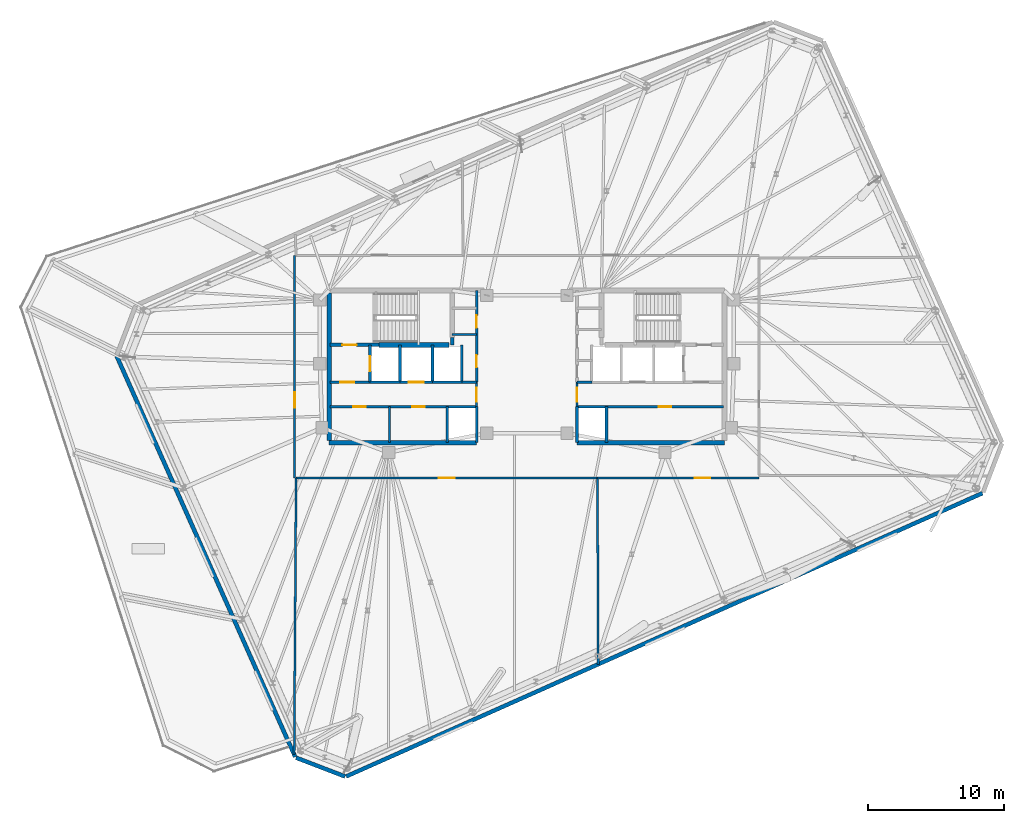
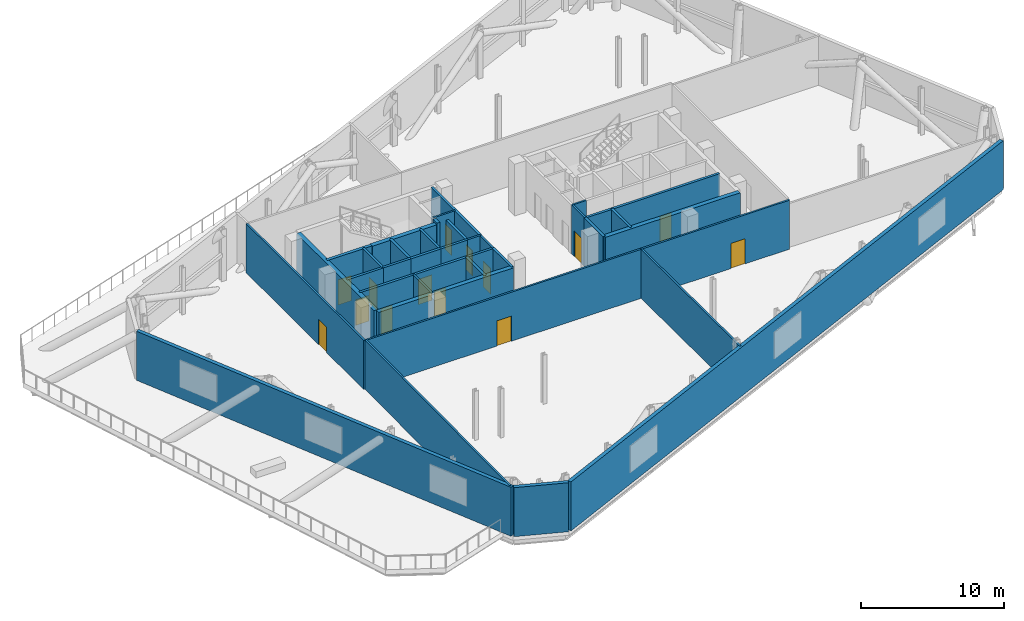
# One storey, part 12 of 15: 35 walls, 14 doors, 14 openings.
"""IFC4 building model written with IfcOpenShell, lengths in metres."""

from ifc_helpers import new_model, si_unit, direction, frame, frame_2d, origin, place, context, subcontext, project, spatial, rectangle, extrude, material, layer, layer_set, type_object, element, fill, save


model = new_model("IFC4")

# Units and contexts
model_context = context("Model", 3, precision=1e-05, world=origin(), true_north=direction((0.0, 1.0)))
body_context = subcontext(model_context, "Body", "Model", "MODEL_VIEW")
ifc_project = project(units=[si_unit("LENGTHUNIT", "METRE"), si_unit("AREAUNIT", "SQUARE_METRE"), si_unit("VOLUMEUNIT", "CUBIC_METRE"), si_unit("PLANEANGLEUNIT", "RADIAN"), si_unit("MASSUNIT", "GRAM", prefix="KILO")], contexts=[model_context])

# Site, building, storey
site_placement = place(None, origin())
site = spatial("IfcSite", under=ifc_project, at=site_placement, CompositionType="ELEMENT")
building_placement = place(site_placement, origin())
building = spatial("IfcBuilding", under=site, at=building_placement, Name="Menara Jurai Vektor", CompositionType="ELEMENT")
storey_placement = place(building_placement, frame((0.0, 0.0, 254.449951171875)))
storey = spatial("IfcBuildingStorey", under=building, at=storey_placement, Name="L68", CompositionType="ELEMENT", Elevation=254.449951171875)

# Walls
ifc_material_1 = material(Name="Insulated Pale Aluminium Spandrel Wall", Category="aluminium")
ifc_layer_1 = layer(ifc_material_1, 0.300048828125)
ifc_layer_set_1 = layer_set([ifc_layer_1], Name="Insulated Pale Aluminium Spandrel Wall")
wall_type_1 = type_object("IfcWallType", Name="ENV-WALL-EXT300", PredefinedType="STANDARD", material=ifc_layer_set_1)
wall_1_placement = place(storey_placement, frame((-13.30908203125, -30.192138671875, 0.0), z_axis=(0.0, 0.0, 1.0), x_axis=(0.913545681585, 0.406736140093, 0.0)))
element("IfcWall", 1, at=wall_1_placement, inside=storey, type_object=wall_type_1, Name="Plant Floor Enclosure Wall L68-01", PredefinedType="STANDARD", context=body_context, shape_type="SweptSolid", body=[
    extrude(rectangle(XDim=51.31005859375, YDim=0.300048828125, at=frame_2d((25.655029296875, 0.0))), origin(), (0.0, 0.0, 1.0), 4.175048828125),
])
wall_2_placement = place(storey_placement, frame((-30.206787109375, 0.766357421875, 0.0), z_axis=(0.0, 0.0, 1.0), x_axis=(0.406735709426, -0.91354587333, 0.0)))
element("IfcWall", 2, at=wall_2_placement, inside=storey, type_object=wall_type_1, Name="Plant Floor Enclosure Wall L68-07", PredefinedType="STANDARD", context=body_context, shape_type="SweptSolid", body=[
    extrude(rectangle(XDim=32.309814453125, YDim=0.300048828125, at=frame_2d((16.15478515625, 0.0))), origin(), (0.0, 0.0, 1.0), 4.175048828125),
])
wall_3_placement = place(storey_placement, frame((-17.0048828125, -28.8076171875, 0.0), z_axis=(0.0, 0.0, 1.0), x_axis=(0.933589291098, -0.358344855618, 0.0)))
element("IfcWall", 3, at=wall_3_placement, inside=storey, type_object=wall_type_1, Name="Plant Floor Enclosure Wall L68-08", PredefinedType="STANDARD", context=body_context, shape_type="SweptSolid", body=[
    extrude(rectangle(XDim=3.869873046875, YDim=0.300048828125, at=frame_2d((1.93505859375, 0.0))), origin(), (0.0, 0.0, 1.0), 4.175048828125),
])

# Wall, opening, door
ifc_material_2 = material(Name="Concrete C40/50", Category="concrete")
ifc_layer_2 = layer(ifc_material_2, 0.25)
ifc_layer_set_2 = layer_set([ifc_layer_2], Name="Concrete C40/50")
wall_type_2 = type_object("IfcWallType", Name="INT-WALL-CORE-250", PredefinedType="STANDARD", material=ifc_layer_set_2)
wall_4_placement = place(storey_placement, frame((-14.5, 1.60009765625, 0.0), z_axis=(0.0, 0.0, 1.0), x_axis=(1.0, 0.0, 0.0)))
wall_4 = element("IfcWall", 4, at=wall_4_placement, inside=storey, type_object=wall_type_2, Name="Interior Wall IW-250 L68", PredefinedType="STANDARD", context=body_context, shape_type="SweptSolid", body=[
    extrude(rectangle(XDim=3.60009765625, YDim=0.25, at=frame_2d((1.800048828125, 0.0))), origin(), (0.0, 0.0, 1.0), 4.175048828125),
])
opening_1_placement = place(wall_4_placement, frame((0.919921875, 0.0, 0.0)))
opening_1 = element("IfcOpeningElement", 5, at=opening_1_placement, cuts=wall_4, Name="Opening D-L68-ST1", PredefinedType="OPENING", context=body_context, shape_type="SweptSolid", body=[
    extrude(rectangle(XDim=1.050048828125, YDim=2.14990234375, at=frame_2d((0.52490234375, 1.074951171875))), frame((0.0, 0.135009765625, 0.0), z_axis=(0.0, -1.0, 0.0), x_axis=(1.0, 0.0, 0.0)), (0.0, 0.0, 1.0), 0.27001953125),
])
ifc_material_3 = material(Name="Fire-Rated Steel Door", Category="steel")
door_type_1 = type_object("IfcDoorType", Name="DR-STAIR-1050", OperationType="NOTDEFINED", PredefinedType="DOOR", material=ifc_material_3)
door_1_placement = place(opening_1_placement, origin())
door_1 = element("IfcDoor", 6, at=door_1_placement, inside=storey, type_object=door_type_1, Name="Exit Stair ST1 Door L68", OperationType="SINGLE_SWING_RIGHT", OverallHeight=2.14990234375, OverallWidth=1.050048828125, PredefinedType="DOOR", context=body_context, shape_type="SweptSolid", body=[
    extrude(rectangle(XDim=1.050048828125, YDim=2.14990234375, at=frame_2d((0.52490234375, 1.074951171875))), frame((0.0, 0.02490234375, 0.0), z_axis=(0.0, -1.0, 0.0), x_axis=(1.0, 0.0, 0.0)), (0.0, 0.0, 1.0), 0.050048828125),
])
fill(opening_1, door_1)

# Wall
wall_5_placement = place(storey_placement, frame((-5.5, 1.60009765625, 0.0), z_axis=(0.0, 0.0, 1.0), x_axis=(0.0, 1.0, 0.0)))
element("IfcWall", 7, at=wall_5_placement, inside=storey, type_object=wall_type_2, Name="Interior Wall IW-250 L68", PredefinedType="STANDARD", context=body_context, shape_type="SweptSolid", body=[
    extrude(rectangle(XDim=0.5498046875, YDim=0.25, at=frame_2d((0.27490234375, 0.0))), origin(), (0.0, 0.0, 1.0), 4.175048828125),
])

# Wall, opening, door
wall_6_placement = place(storey_placement, frame((-11.550048828125, -1.14990234375, 0.0), z_axis=(0.0, 0.0, 1.0), x_axis=(0.0, 1.0, 0.0)))
wall_6 = element("IfcWall", 8, at=wall_6_placement, inside=storey, type_object=wall_type_2, Name="Interior Wall IW-250 L68", PredefinedType="STANDARD", context=body_context, shape_type="SweptSolid", body=[
    extrude(rectangle(XDim=2.75, YDim=0.199951171875, at=frame_2d((1.375, 0.0))), origin(), (0.0, 0.0, 1.0), 4.175048828125),
])
opening_2_placement = place(wall_6_placement, frame((0.824951171875, 0.0, 0.0)))
opening_2 = element("IfcOpeningElement", 9, at=opening_2_placement, cuts=wall_6, Name="Opening LD-L68-FL1", PredefinedType="OPENING", context=body_context, shape_type="SweptSolid", body=[
    extrude(rectangle(XDim=1.10009765625, YDim=2.14990234375, at=frame_2d((0.550048828125, 1.074951171875))), frame((0.0, 0.10986328125, 0.0), z_axis=(0.0, -1.0, 0.0), x_axis=(1.0, 0.0, 0.0)), (0.0, 0.0, 1.0), 0.219970703125),
])
ifc_material_4 = material(Name="Stainless Steel Sliding Lift Landing Door", Category="steel")
door_type_2 = type_object("IfcDoorType", Name="DR-LIFT-FIRE-1100", OperationType="NOTDEFINED", PredefinedType="DOOR", material=ifc_material_4)
door_2_placement = place(opening_2_placement, origin())
door_2 = element("IfcDoor", 10, at=door_2_placement, inside=storey, type_object=door_type_2, Name="Lift Landing Door FL1 L68", OperationType="SLIDING_TO_RIGHT", OverallHeight=2.14990234375, OverallWidth=1.10009765625, PredefinedType="DOOR", context=body_context, shape_type="SweptSolid", body=[
    extrude(rectangle(XDim=1.10009765625, YDim=2.14990234375, at=frame_2d((0.550048828125, 1.074951171875))), frame((0.0, 0.02490234375, 0.0), z_axis=(0.0, -1.0, 0.0), x_axis=(1.0, 0.0, 0.0)), (0.0, 0.0, 1.0), 0.050048828125),
])
fill(opening_2, door_2)

# Wall
wall_7_placement = place(storey_placement, frame((-9.35009765625, -1.14990234375, 0.0), z_axis=(0.0, 0.0, 1.0), x_axis=(0.0, 1.0, 0.0)))
element("IfcWall", 11, at=wall_7_placement, inside=storey, type_object=wall_type_2, Name="Interior Wall IW-250 L68", PredefinedType="STANDARD", context=body_context, shape_type="SweptSolid", body=[
    extrude(rectangle(XDim=2.75, YDim=0.199951171875, at=frame_2d((1.375, 0.0))), origin(), (0.0, 0.0, 1.0), 4.175048828125),
])

# Wall, opening, door
wall_8_placement = place(storey_placement, frame((-14.5, -1.14990234375, 0.0), z_axis=(0.0, 0.0, 1.0), x_axis=(1.0, 0.0, 0.0)))
wall_8 = element("IfcWall", 12, at=wall_8_placement, inside=storey, type_object=wall_type_2, Name="Interior Wall IW-250 L68", PredefinedType="STANDARD", context=body_context, shape_type="SweptSolid", body=[
    extrude(rectangle(XDim=2.949951171875, YDim=0.199951171875, at=frame_2d((1.47509765625, 0.0))), origin(), (0.0, 0.0, 1.0), 4.175048828125),
])
opening_3_placement = place(wall_8_placement, frame((0.75, 0.0, 0.0)))
opening_3 = element("IfcOpeningElement", 13, at=opening_3_placement, cuts=wall_8, Name="Opening D-L68-FFW", PredefinedType="OPENING", context=body_context, shape_type="SweptSolid", body=[
    extrude(rectangle(XDim=1.050048828125, YDim=2.179931640625, at=frame_2d((0.52490234375, 1.08984375))), frame((0.0, 0.10986328125, 0.0), z_axis=(0.0, -1.0, 0.0), x_axis=(1.0, 0.0, 0.0)), (0.0, 0.0, 1.0), 0.219970703125),
])
ifc_material_5 = material(Name="Fire-Rated Timber Door", Category="wood")
door_type_3 = type_object("IfcDoorType", Name="DR-LOBBY-1050", OperationType="NOTDEFINED", PredefinedType="DOOR", material=ifc_material_5)
door_3_placement = place(opening_3_placement, origin())
door_3 = element("IfcDoor", 14, at=door_3_placement, inside=storey, type_object=door_type_3, Name="Fire Lift Lobby Door W L68", OperationType="SINGLE_SWING_RIGHT", OverallHeight=2.179931640625, OverallWidth=1.050048828125, PredefinedType="DOOR", context=body_context, shape_type="SweptSolid", body=[
    extrude(rectangle(XDim=1.050048828125, YDim=2.179931640625, at=frame_2d((0.52490234375, 1.08984375))), frame((0.0, 0.02490234375, 0.0), z_axis=(0.0, -1.0, 0.0), x_axis=(1.0, 0.0, 0.0)), (0.0, 0.0, 1.0), 0.050048828125),
])
fill(opening_3, door_3)

# Wall
wall_9_placement = place(storey_placement, frame((-11.550048828125, -1.14990234375, 0.0), z_axis=(0.0, 0.0, 1.0), x_axis=(1.0, 0.0, 0.0)))
element("IfcWall", 15, at=wall_9_placement, inside=storey, type_object=wall_type_2, Name="Interior Wall IW-250 L68", PredefinedType="STANDARD", context=body_context, shape_type="SweptSolid", body=[
    extrude(rectangle(XDim=2.199951171875, YDim=0.199951171875, at=frame_2d((1.10009765625, 0.0))), origin(), (0.0, 0.0, 1.0), 4.175048828125),
])

# Wall, opening, door
ifc_material_6 = material(Name="Gypsum Fireboard Partition", Category="gypsum")
ifc_layer_3 = layer(ifc_material_6, 0.14990234375)
ifc_layer_set_3 = layer_set([ifc_layer_3], Name="Gypsum Fireboard Partition")
wall_type_3 = type_object("IfcWallType", Name="INT-WALL-CORR-150", PredefinedType="PARTITIONING", material=ifc_layer_set_3)
wall_10_placement = place(storey_placement, frame((-3.699951171875, -2.949951171875, 0.0), z_axis=(0.0, 0.0, 1.0), x_axis=(0.0, 1.0, 0.0)))
wall_10 = element("IfcWall", 16, at=wall_10_placement, inside=storey, type_object=wall_type_3, Name="Interior Wall IW-150 L68", PredefinedType="PARTITIONING", context=body_context, shape_type="SweptSolid", body=[
    extrude(rectangle(XDim=1.800048828125, YDim=0.14990234375, at=frame_2d((0.89990234375, 0.0))), origin(), (0.0, 0.0, 1.0), 4.175048828125),
])
opening_4_placement = place(wall_10_placement, frame((0.35009765625, 0.0, 0.0)))
opening_4 = element("IfcOpeningElement", 17, at=opening_4_placement, cuts=wall_10, Name="Opening D-L68-LLW", PredefinedType="OPENING", context=body_context, shape_type="SweptSolid", body=[
    extrude(rectangle(XDim=1.050048828125, YDim=2.179931640625, at=frame_2d((0.52490234375, 1.08984375))), frame((0.0, 0.0849609375, 0.0), z_axis=(0.0, -1.0, 0.0), x_axis=(1.0, 0.0, 0.0)), (0.0, 0.0, 1.0), 0.169921875),
])
door_4_placement = place(opening_4_placement, origin())
door_4 = element("IfcDoor", 18, at=door_4_placement, inside=storey, type_object=door_type_3, Name="Lift Lobby Corridor Door W L68", OperationType="SINGLE_SWING_LEFT", OverallHeight=2.179931640625, OverallWidth=1.050048828125, PredefinedType="DOOR", context=body_context, shape_type="SweptSolid", body=[
    extrude(rectangle(XDim=1.050048828125, YDim=2.179931640625, at=frame_2d((0.52490234375, 1.08984375))), frame((0.0, 0.02490234375, 0.0), z_axis=(0.0, -1.0, 0.0), x_axis=(1.0, 0.0, 0.0)), (0.0, 0.0, 1.0), 0.050048828125),
])
fill(opening_4, door_4)

# Wall
wall_11_placement = place(storey_placement, frame((-4.7900390625, -1.14990234375, 0.0), z_axis=(0.0, 0.0, 1.0), x_axis=(1.0, 0.0, 0.0)))
element("IfcWall", 19, at=wall_11_placement, inside=storey, type_object=wall_type_3, Name="Interior Wall IW-150 L68", PredefinedType="PARTITIONING", context=body_context, shape_type="SweptSolid", body=[
    extrude(rectangle(XDim=1.090087890625, YDim=0.14990234375, at=frame_2d((0.544921875, 0.0))), origin(), (0.0, 0.0, 1.0), 4.175048828125),
])

# Wall, opening, door
wall_12_placement = place(storey_placement, frame((3.699951171875, -2.949951171875, 0.0), z_axis=(0.0, 0.0, 1.0), x_axis=(0.0, 1.0, 0.0)))
wall_12 = element("IfcWall", 20, at=wall_12_placement, inside=storey, type_object=wall_type_3, Name="Interior Wall IW-150 L68", PredefinedType="PARTITIONING", context=body_context, shape_type="SweptSolid", body=[
    extrude(rectangle(XDim=1.800048828125, YDim=0.14990234375, at=frame_2d((0.89990234375, 0.0))), origin(), (0.0, 0.0, 1.0), 4.175048828125),
])
opening_5_placement = place(wall_12_placement, frame((0.35009765625, 0.0, 0.0)))
opening_5 = element("IfcOpeningElement", 21, at=opening_5_placement, cuts=wall_12, Name="Opening D-L68-LLE", PredefinedType="OPENING", context=body_context, shape_type="SweptSolid", body=[
    extrude(rectangle(XDim=1.050048828125, YDim=2.179931640625, at=frame_2d((0.52490234375, 1.08984375))), frame((0.0, 0.0849609375, 0.0), z_axis=(0.0, -1.0, 0.0), x_axis=(1.0, 0.0, 0.0)), (0.0, 0.0, 1.0), 0.169921875),
])
door_5_placement = place(opening_5_placement, frame((1.050048828125, 0.0, 0.0), z_axis=(0.0, 0.0, 1.0), x_axis=(-1.0, 0.0, 0.0)))
door_5 = element("IfcDoor", 22, at=door_5_placement, inside=storey, type_object=door_type_3, Name="Lift Lobby Corridor Door E L68", OperationType="SINGLE_SWING_RIGHT", OverallHeight=2.179931640625, OverallWidth=1.050048828125, PredefinedType="DOOR", context=body_context, shape_type="SweptSolid", body=[
    extrude(rectangle(XDim=1.050048828125, YDim=2.179931640625, at=frame_2d((0.52490234375, 1.08984375))), frame((0.0, 0.02490234375, 0.0), z_axis=(0.0, -1.0, 0.0), x_axis=(1.0, 0.0, 0.0)), (0.0, 0.0, 1.0), 0.050048828125),
])
fill(opening_5, door_5)

# Walls
wall_13_placement = place(storey_placement, frame((3.699951171875, -1.14990234375, 0.0), z_axis=(0.0, 0.0, 1.0), x_axis=(1.0, 0.0, 0.0)))
element("IfcWall", 23, at=wall_13_placement, inside=storey, type_object=wall_type_3, Name="Interior Wall IW-150 L68", PredefinedType="PARTITIONING", context=body_context, shape_type="SweptSolid", body=[
    extrude(rectangle(XDim=1.090087890625, YDim=0.14990234375, at=frame_2d((0.544921875, 0.0))), origin(), (0.0, 0.0, 1.0), 4.175048828125),
])
wall_14_placement = place(storey_placement, frame((-10.1201171875, -5.60009765625, 0.0), z_axis=(0.0, 0.0, 1.0), x_axis=(0.0, 1.0, 0.0)))
element("IfcWall", 24, at=wall_14_placement, inside=storey, type_object=wall_type_3, Name="Interior Wall IW-150 L68", PredefinedType="PARTITIONING", context=body_context, shape_type="SweptSolid", body=[
    extrude(rectangle(XDim=2.650146484375, YDim=0.14990234375, at=frame_2d((1.3251953125, 0.0))), origin(), (0.0, 0.0, 1.0), 4.175048828125),
])
wall_15_placement = place(storey_placement, frame((-5.5, 2.35009765625, 0.0), z_axis=(0.0, 0.0, 1.0), x_axis=(1.0, 0.0, 0.0)))
element("IfcWall", 25, at=wall_15_placement, inside=storey, type_object=wall_type_3, Name="Interior Wall IW-150 L68", PredefinedType="PARTITIONING", context=body_context, shape_type="SweptSolid", body=[
    extrude(rectangle(XDim=1.800048828125, YDim=0.14990234375, at=frame_2d((0.89990234375, 0.0))), origin(), (0.0, 0.0, 1.0), 4.175048828125),
])

# Wall, opening, door
wall_16_placement = place(storey_placement, frame((-17.0, -8.199951171875, 0.0), z_axis=(0.0, 0.0, 1.0), x_axis=(1.0, 0.0, 0.0)))
wall_16 = element("IfcWall", 26, at=wall_16_placement, inside=storey, type_object=wall_type_3, Name="Interior Wall IW-150 L68", PredefinedType="PARTITIONING", context=body_context, shape_type="SweptSolid", body=[
    extrude(rectangle(XDim=22.199951171875, YDim=0.14990234375, at=frame_2d((11.10009765625, 0.0))), origin(), (0.0, 0.0, 1.0), 4.175048828125),
])
opening_6_placement = place(wall_16_placement, frame((10.52490234375, 0.0, 0.0)))
opening_6 = element("IfcOpeningElement", 27, at=opening_6_placement, cuts=wall_16, Name="Opening D68-11", PredefinedType="OPENING", context=body_context, shape_type="SweptSolid", body=[
    extrude(rectangle(XDim=1.14990234375, YDim=2.14990234375, at=frame_2d((0.574951171875, 1.074951171875))), frame((0.0, 0.0849609375, 0.0), z_axis=(0.0, -1.0, 0.0), x_axis=(1.0, 0.0, 0.0)), (0.0, 0.0, 1.0), 0.169921875),
])
ifc_material_7 = material(Name="Fire-Rated Steel Plant Door", Category="steel")
door_type_4 = type_object("IfcDoorType", Name="DR-PLANT-1150", OperationType="NOTDEFINED", PredefinedType="DOOR", material=ifc_material_7)
door_6_placement = place(opening_6_placement, origin())
door_6 = element("IfcDoor", 28, at=door_6_placement, inside=storey, type_object=door_type_4, Name="Interior Door D68-11", OperationType="SINGLE_SWING_LEFT", OverallHeight=2.14990234375, OverallWidth=1.14990234375, PredefinedType="DOOR", context=body_context, shape_type="SweptSolid", body=[
    extrude(rectangle(XDim=1.14990234375, YDim=2.14990234375, at=frame_2d((0.574951171875, 1.074951171875))), frame((0.0, 0.02490234375, 0.0), z_axis=(0.0, -1.0, 0.0), x_axis=(1.0, 0.0, 0.0)), (0.0, 0.0, 1.0), 0.050048828125),
])
fill(opening_6, door_6)

wall_17_placement = place(storey_placement, frame((5.199951171875, -8.199951171875, 0.0), z_axis=(0.0, 0.0, 1.0), x_axis=(1.0, 0.0, 0.0)))
wall_17 = element("IfcWall", 29, at=wall_17_placement, inside=storey, type_object=wall_type_3, Name="Interior Wall IW-150 L68", PredefinedType="PARTITIONING", context=body_context, shape_type="SweptSolid", body=[
    extrude(rectangle(XDim=11.900146484375, YDim=0.14990234375, at=frame_2d((5.9501953125, 0.0))), origin(), (0.0, 0.0, 1.0), 4.175048828125),
])
opening_7_placement = place(wall_17_placement, frame((7.159912109375, 0.0, 0.0)))
opening_7 = element("IfcOpeningElement", 30, at=opening_7_placement, cuts=wall_17, Name="Opening D68-12", PredefinedType="OPENING", context=body_context, shape_type="SweptSolid", body=[
    extrude(rectangle(XDim=1.14990234375, YDim=2.14990234375, at=frame_2d((0.574951171875, 1.074951171875))), frame((0.0, 0.0849609375, 0.0), z_axis=(0.0, -1.0, 0.0), x_axis=(1.0, 0.0, 0.0)), (0.0, 0.0, 1.0), 0.169921875),
])
door_7_placement = place(opening_7_placement, origin())
door_7 = element("IfcDoor", 31, at=door_7_placement, inside=storey, type_object=door_type_4, Name="Interior Door D68-12", OperationType="SINGLE_SWING_RIGHT", OverallHeight=2.14990234375, OverallWidth=1.14990234375, PredefinedType="DOOR", context=body_context, shape_type="SweptSolid", body=[
    extrude(rectangle(XDim=1.14990234375, YDim=2.14990234375, at=frame_2d((0.574951171875, 1.074951171875))), frame((0.0, 0.02490234375, 0.0), z_axis=(0.0, -1.0, 0.0), x_axis=(1.0, 0.0, 0.0)), (0.0, 0.0, 1.0), 0.050048828125),
])
fill(opening_7, door_7)

wall_18_placement = place(storey_placement, frame((-17.10009765625, -8.199951171875, 0.0), z_axis=(0.0, 0.0, 1.0), x_axis=(0.0, 1.0, 0.0)))
wall_18 = element("IfcWall", 32, at=wall_18_placement, inside=storey, type_object=wall_type_3, Name="Interior Wall IW-150 L68", PredefinedType="PARTITIONING", context=body_context, shape_type="SweptSolid", body=[
    extrude(rectangle(XDim=16.39990234375, YDim=0.14990234375, at=frame_2d((8.199951171875, 0.0))), origin(), (0.0, 0.0, 1.0), 4.175048828125),
])
opening_8_placement = place(wall_18_placement, frame((5.1650390625, 0.0, 0.0)))
opening_8 = element("IfcOpeningElement", 33, at=opening_8_placement, cuts=wall_18, Name="Opening D68-13", PredefinedType="OPENING", context=body_context, shape_type="SweptSolid", body=[
    extrude(rectangle(XDim=1.14990234375, YDim=2.14990234375, at=frame_2d((0.574951171875, 1.074951171875))), frame((0.0, 0.0849609375, 0.0), z_axis=(0.0, -1.0, 0.0), x_axis=(1.0, 0.0, 0.0)), (0.0, 0.0, 1.0), 0.169921875),
])
door_8_placement = place(opening_8_placement, origin())
door_8 = element("IfcDoor", 34, at=door_8_placement, inside=storey, type_object=door_type_4, Name="Interior Door D68-13", OperationType="SINGLE_SWING_LEFT", OverallHeight=2.14990234375, OverallWidth=1.14990234375, PredefinedType="DOOR", context=body_context, shape_type="SweptSolid", body=[
    extrude(rectangle(XDim=1.14990234375, YDim=2.14990234375, at=frame_2d((0.574951171875, 1.074951171875))), frame((0.0, 0.02490234375, 0.0), z_axis=(0.0, -1.0, 0.0), x_axis=(1.0, 0.0, 0.0)), (0.0, 0.0, 1.0), 0.050048828125),
])
fill(opening_8, door_8)

# Walls
wall_19_placement = place(storey_placement, frame((5.260986328125, -21.92431640625, 0.0), z_axis=(0.0, 0.0, 1.0), x_axis=(-0.004447167621, 0.999990111301, 0.0)))
element("IfcWall", 35, at=wall_19_placement, inside=storey, type_object=wall_type_3, Name="Interior Wall IW-150 L68", PredefinedType="PARTITIONING", context=body_context, shape_type="SweptSolid", body=[
    extrude(rectangle(XDim=13.724609375, YDim=0.14990234375, at=frame_2d((6.8623046875, 0.0))), origin(), (0.0, 0.0, 1.0), 4.175048828125),
])
wall_20_placement = place(storey_placement, frame((-17.136962890625, -28.589111328125, 0.0), z_axis=(0.0, 0.0, 1.0), x_axis=(0.006717285044, 0.999977438786, 0.0)))
element("IfcWall", 36, at=wall_20_placement, inside=storey, type_object=wall_type_3, Name="Interior Wall IW-150 L68", PredefinedType="PARTITIONING", context=body_context, shape_type="SweptSolid", body=[
    extrude(rectangle(XDim=20.3896484375, YDim=0.14990234375, at=frame_2d((10.19482421875, 0.0))), origin(), (0.0, 0.0, 1.0), 4.175048828125),
])

# Wall, openings, doors
ifc_layer_4 = layer(ifc_material_2, 0.199951171875)
ifc_layer_set_4 = layer_set([ifc_layer_4], Name="Concrete C40/50")
wall_type_4 = type_object("IfcWallType", Name="INT-WALL-SHAFT-200", PredefinedType="STANDARD", material=ifc_layer_set_4)
wall_21_placement = place(storey_placement, frame((-3.699951171875, -1.14990234375, 0.0), z_axis=(0.0, 0.0, 1.0), x_axis=(0.0, 1.0, 0.0)))
wall_21 = element("IfcWall", 37, at=wall_21_placement, inside=storey, type_object=wall_type_4, Name="Interior Wall IW-200 L68", PredefinedType="STANDARD", context=body_context, shape_type="SweptSolid", body=[
    extrude(rectangle(XDim=6.75, YDim=0.199951171875, at=frame_2d((3.375, 0.0))), origin(), (0.0, 0.0, 1.0), 4.175048828125),
])
opening_9_placement = place(wall_21_placement, frame((1.10009765625, 0.0, 0.0)))
opening_9 = element("IfcOpeningElement", 38, at=opening_9_placement, cuts=wall_21, Name="Opening D68-03", PredefinedType="OPENING", context=body_context, shape_type="SweptSolid", body=[
    extrude(rectangle(XDim=0.89990234375, YDim=2.14990234375, at=frame_2d((0.449951171875, 1.074951171875))), frame((0.0, 0.10986328125, 0.0), z_axis=(0.0, -1.0, 0.0), x_axis=(1.0, 0.0, 0.0)), (0.0, 0.0, 1.0), 0.219970703125),
])
opening_10_placement = place(wall_21_placement, frame((4.0, 0.0, 0.0)))
opening_10 = element("IfcOpeningElement", 39, at=opening_10_placement, cuts=wall_21, Name="Opening D68-04", PredefinedType="OPENING", context=body_context, shape_type="SweptSolid", body=[
    extrude(rectangle(XDim=0.919921875, YDim=2.14990234375, at=frame_2d((0.4599609375, 1.074951171875))), frame((0.0, 0.10986328125, 0.0), z_axis=(0.0, -1.0, 0.0), x_axis=(1.0, 0.0, 0.0)), (0.0, 0.0, 1.0), 0.219970703125),
])
ifc_material_8 = material(Name="Solid Core Timber Fire Door", Category="wood")
door_type_5 = type_object("IfcDoorType", Name="DR-ENTRY-950", OperationType="NOTDEFINED", PredefinedType="DOOR", material=ifc_material_8)
door_9_placement = place(opening_9_placement, origin())
door_9 = element("IfcDoor", 40, at=door_9_placement, inside=storey, type_object=door_type_5, Name="Interior Door D68-03", OperationType="SINGLE_SWING_LEFT", OverallHeight=2.14990234375, OverallWidth=0.89990234375, PredefinedType="DOOR", context=body_context, shape_type="SweptSolid", body=[
    extrude(rectangle(XDim=0.89990234375, YDim=2.14990234375, at=frame_2d((0.449951171875, 1.074951171875))), frame((0.0, 0.02490234375, 0.0), z_axis=(0.0, -1.0, 0.0), x_axis=(1.0, 0.0, 0.0)), (0.0, 0.0, 1.0), 0.050048828125),
])
fill(opening_9, door_9)
door_10_placement = place(opening_10_placement, origin())
door_10 = element("IfcDoor", 41, at=door_10_placement, inside=storey, type_object=door_type_5, Name="Interior Door D68-04", OperationType="SINGLE_SWING_LEFT", OverallHeight=2.14990234375, OverallWidth=0.919921875, PredefinedType="DOOR", context=body_context, shape_type="SweptSolid", body=[
    extrude(rectangle(XDim=0.919921875, YDim=2.14990234375, at=frame_2d((0.4599609375, 1.074951171875))), frame((0.0, 0.02490234375, 0.0), z_axis=(0.0, -1.0, 0.0), x_axis=(1.0, 0.0, 0.0)), (0.0, 0.0, 1.0), 0.050048828125),
])
fill(opening_10, door_10)

# Walls
wall_22_placement = place(storey_placement, frame((-3.699951171875, -5.60009765625, 0.0), z_axis=(0.0, 0.0, 1.0), x_axis=(0.0, 1.0, 0.0)))
element("IfcWall", 42, at=wall_22_placement, inside=storey, type_object=wall_type_4, Name="Interior Wall IW-200 L68", PredefinedType="STANDARD", context=body_context, shape_type="SweptSolid", body=[
    extrude(rectangle(XDim=2.650146484375, YDim=0.199951171875, at=frame_2d((1.3251953125, 0.0))), origin(), (0.0, 0.0, 1.0), 4.175048828125),
])
wall_23_placement = place(storey_placement, frame((-6.949951171875, -1.14990234375, 0.0), z_axis=(0.0, 0.0, 1.0), x_axis=(0.0, 1.0, 0.0)))
element("IfcWall", 43, at=wall_23_placement, inside=storey, type_object=wall_type_4, Name="Interior Wall IW-200 L68", PredefinedType="STANDARD", context=body_context, shape_type="SweptSolid", body=[
    extrude(rectangle(XDim=2.75, YDim=0.199951171875, at=frame_2d((1.375, 0.0))), origin(), (0.0, 0.0, 1.0), 4.175048828125),
])

# Wall, opening, door
wall_24_placement = place(storey_placement, frame((-9.35009765625, -1.14990234375, 0.0), z_axis=(0.0, 0.0, 1.0), x_axis=(1.0, 0.0, 0.0)))
wall_24 = element("IfcWall", 44, at=wall_24_placement, inside=storey, type_object=wall_type_4, Name="Interior Wall IW-200 L68", PredefinedType="STANDARD", context=body_context, shape_type="SweptSolid", body=[
    extrude(rectangle(XDim=2.400146484375, YDim=0.199951171875, at=frame_2d((1.2001953125, 0.0))), origin(), (0.0, 0.0, 1.0), 4.175048828125),
])
opening_11_placement = place(wall_24_placement, frame((0.64990234375, 0.0, 0.0)))
opening_11 = element("IfcOpeningElement", 45, at=opening_11_placement, cuts=wall_24, Name="Opening LD-L68-SVL1", PredefinedType="OPENING", context=body_context, shape_type="SweptSolid", body=[
    extrude(rectangle(XDim=1.10009765625, YDim=2.14990234375, at=frame_2d((0.550048828125, 1.074951171875))), frame((0.0, 0.10986328125, 0.0), z_axis=(0.0, -1.0, 0.0), x_axis=(1.0, 0.0, 0.0)), (0.0, 0.0, 1.0), 0.219970703125),
])
ifc_material_9 = material(Name="Anodised Stainless Sliding Lift Landing Door", Category="steel")
door_type_6 = type_object("IfcDoorType", Name="DR-LIFT-PASS-1100", OperationType="NOTDEFINED", PredefinedType="DOOR", material=ifc_material_9)
door_11_placement = place(opening_11_placement, origin())
door_11 = element("IfcDoor", 46, at=door_11_placement, inside=storey, type_object=door_type_6, Name="Lift Landing Door SVL1 L68", OperationType="SLIDING_TO_RIGHT", OverallHeight=2.14990234375, OverallWidth=1.10009765625, PredefinedType="DOOR", context=body_context, shape_type="SweptSolid", body=[
    extrude(rectangle(XDim=1.10009765625, YDim=2.14990234375, at=frame_2d((0.550048828125, 1.074951171875))), frame((0.0, 0.02490234375, 0.0), z_axis=(0.0, -1.0, 0.0), x_axis=(1.0, 0.0, 0.0)), (0.0, 0.0, 1.0), 0.050048828125),
])
fill(opening_11, door_11)

# Walls
wall_25_placement = place(storey_placement, frame((-4.7900390625, -1.14990234375, 0.0), z_axis=(0.0, 0.0, 1.0), x_axis=(0.0, 1.0, 0.0)))
element("IfcWall", 47, at=wall_25_placement, inside=storey, type_object=wall_type_4, Name="Interior Wall IW-200 L68", PredefinedType="STANDARD", context=body_context, shape_type="SweptSolid", body=[
    extrude(rectangle(XDim=2.75, YDim=0.199951171875, at=frame_2d((1.375, 0.0))), origin(), (0.0, 0.0, 1.0), 4.175048828125),
])
wall_26_placement = place(storey_placement, frame((-6.949951171875, -1.14990234375, 0.0), z_axis=(0.0, 0.0, 1.0), x_axis=(1.0, 0.0, 0.0)))
element("IfcWall", 48, at=wall_26_placement, inside=storey, type_object=wall_type_4, Name="Interior Wall IW-200 L68", PredefinedType="STANDARD", context=body_context, shape_type="SweptSolid", body=[
    extrude(rectangle(XDim=2.159912109375, YDim=0.199951171875, at=frame_2d((1.080078125, 0.0))), origin(), (0.0, 0.0, 1.0), 4.175048828125),
])

# Wall, openings, doors
wall_27_placement = place(storey_placement, frame((-14.5, -2.949951171875, 0.0), z_axis=(0.0, 0.0, 1.0), x_axis=(1.0, 0.0, 0.0)))
wall_27 = element("IfcWall", 49, at=wall_27_placement, inside=storey, type_object=wall_type_4, Name="Interior Wall IW-200 L68", PredefinedType="STANDARD", context=body_context, shape_type="SweptSolid", body=[
    extrude(rectangle(XDim=10.800048828125, YDim=0.199951171875, at=frame_2d((5.39990234375, 0.0))), origin(), (0.0, 0.0, 1.0), 4.175048828125),
])
opening_12_placement = place(wall_27_placement, frame((1.72998046875, 0.0, 0.0)))
opening_12 = element("IfcOpeningElement", 50, at=opening_12_placement, cuts=wall_27, Name="Opening D68-01", PredefinedType="OPENING", context=body_context, shape_type="SweptSolid", body=[
    extrude(rectangle(XDim=0.919921875, YDim=2.14990234375, at=frame_2d((0.4599609375, 1.074951171875))), frame((0.0, 0.10986328125, 0.0), z_axis=(0.0, -1.0, 0.0), x_axis=(1.0, 0.0, 0.0)), (0.0, 0.0, 1.0), 0.219970703125),
])
opening_13_placement = place(wall_27_placement, frame((6.050048828125, 0.0, 0.0)))
opening_13 = element("IfcOpeningElement", 51, at=opening_13_placement, cuts=wall_27, Name="Opening D68-02", PredefinedType="OPENING", context=body_context, shape_type="SweptSolid", body=[
    extrude(rectangle(XDim=0.919921875, YDim=2.14990234375, at=frame_2d((0.4599609375, 1.074951171875))), frame((0.0, 0.10986328125, 0.0), z_axis=(0.0, -1.0, 0.0), x_axis=(1.0, 0.0, 0.0)), (0.0, 0.0, 1.0), 0.219970703125),
])
door_12_placement = place(opening_12_placement, origin())
door_12 = element("IfcDoor", 52, at=door_12_placement, inside=storey, type_object=door_type_5, Name="Interior Door D68-01", OperationType="SINGLE_SWING_LEFT", OverallHeight=2.14990234375, OverallWidth=0.919921875, PredefinedType="DOOR", context=body_context, shape_type="SweptSolid", body=[
    extrude(rectangle(XDim=0.919921875, YDim=2.14990234375, at=frame_2d((0.4599609375, 1.074951171875))), frame((0.0, 0.02490234375, 0.0), z_axis=(0.0, -1.0, 0.0), x_axis=(1.0, 0.0, 0.0)), (0.0, 0.0, 1.0), 0.050048828125),
])
fill(opening_12, door_12)
door_13_placement = place(opening_13_placement, origin())
door_13 = element("IfcDoor", 53, at=door_13_placement, inside=storey, type_object=door_type_5, Name="Interior Door D68-02", OperationType="SINGLE_SWING_RIGHT", OverallHeight=2.14990234375, OverallWidth=0.919921875, PredefinedType="DOOR", context=body_context, shape_type="SweptSolid", body=[
    extrude(rectangle(XDim=0.919921875, YDim=2.14990234375, at=frame_2d((0.4599609375, 1.074951171875))), frame((0.0, 0.02490234375, 0.0), z_axis=(0.0, -1.0, 0.0), x_axis=(1.0, 0.0, 0.0)), (0.0, 0.0, 1.0), 0.050048828125),
])
fill(opening_13, door_13)

# Walls
for number, where, z_axis, x_axis, name in (
    (54, (-5.860107421875, -5.60009765625, 0.0), (0.0, 0.0, 1.0), (0.0, 1.0, 0.0), "Interior Wall IW-200 L68"),
    (55, (3.699951171875, -5.60009765625, 0.0), (0.0, 0.0, 1.0), (0.0, 1.0, 0.0), "Interior Wall IW-200 L68"),
):
    element("IfcWall", number, at=place(storey_placement, frame(where, z_axis=z_axis, x_axis=x_axis)), inside=storey, type_object=wall_type_4, Name=name, PredefinedType="STANDARD", context=body_context, shape_type="SweptSolid", body=[
        extrude(rectangle(XDim=2.650146484375, YDim=0.199951171875, at=frame_2d((1.3251953125, 0.0))), origin(), (0.0, 0.0, 1.0), 4.175048828125),
    ])

# Wall, opening, door
wall_28_placement = place(storey_placement, frame((3.699951171875, -2.949951171875, 0.0), z_axis=(0.0, 0.0, 1.0), x_axis=(1.0, 0.0, 0.0)))
wall_28 = element("IfcWall", 56, at=wall_28_placement, inside=storey, type_object=wall_type_4, Name="Interior Wall IW-200 L68", PredefinedType="STANDARD", context=body_context, shape_type="SweptSolid", body=[
    extrude(rectangle(XDim=10.800048828125, YDim=0.199951171875, at=frame_2d((5.39990234375, 0.0))), origin(), (0.0, 0.0, 1.0), 4.175048828125),
])
opening_14_placement = place(wall_28_placement, frame((6.02001953125, 0.0, 0.0)))
opening_14 = element("IfcOpeningElement", 57, at=opening_14_placement, cuts=wall_28, Name="Opening D68-05", PredefinedType="OPENING", context=body_context, shape_type="SweptSolid", body=[
    extrude(rectangle(XDim=0.919921875, YDim=2.14990234375, at=frame_2d((0.4599609375, 1.074951171875))), frame((0.0, 0.10986328125, 0.0), z_axis=(0.0, -1.0, 0.0), x_axis=(1.0, 0.0, 0.0)), (0.0, 0.0, 1.0), 0.219970703125),
])
door_14_placement = place(opening_14_placement, origin())
door_14 = element("IfcDoor", 58, at=door_14_placement, inside=storey, type_object=door_type_5, Name="Interior Door D68-05", OperationType="SINGLE_SWING_LEFT", OverallHeight=2.14990234375, OverallWidth=0.919921875, PredefinedType="DOOR", context=body_context, shape_type="SweptSolid", body=[
    extrude(rectangle(XDim=0.919921875, YDim=2.14990234375, at=frame_2d((0.4599609375, 1.074951171875))), frame((0.0, 0.02490234375, 0.0), z_axis=(0.0, -1.0, 0.0), x_axis=(1.0, 0.0, 0.0)), (0.0, 0.0, 1.0), 0.050048828125),
])
fill(opening_14, door_14)

# Walls
wall_29_placement = place(storey_placement, frame((5.860107421875, -5.60009765625, 0.0), z_axis=(0.0, 0.0, 1.0), x_axis=(0.0, 1.0, 0.0)))
element("IfcWall", 59, at=wall_29_placement, inside=storey, type_object=wall_type_4, Name="Interior Wall IW-200 L68", PredefinedType="STANDARD", context=body_context, shape_type="SweptSolid", body=[
    extrude(rectangle(XDim=2.650146484375, YDim=0.199951171875, at=frame_2d((1.3251953125, 0.0))), origin(), (0.0, 0.0, 1.0), 4.175048828125),
])
ifc_material_10 = material(Name="Concrete C50/60", Category="concrete")
ifc_layer_5 = layer(ifc_material_10, 0.35009765625)
ifc_layer_set_5 = layer_set([ifc_layer_5], Name="Concrete C50/60")
wall_type_5 = type_object("IfcWallType", Name="STR-WALL-CORE350", PredefinedType="SHEAR", material=ifc_layer_set_5)
wall_30_placement = place(storey_placement, frame((-14.56005859375, -5.60009765625, 0.0), z_axis=(0.0, 0.0, 1.0), x_axis=(1.0, 0.0, 0.0)))
element("IfcWall", 60, at=wall_30_placement, inside=storey, type_object=wall_type_5, Name="Core Shear Wall CW-W-S L68", PredefinedType="SHEAR", context=body_context, shape_type="SweptSolid", body=[
    extrude(rectangle(XDim=10.860107421875, YDim=0.35009765625, at=frame_2d((5.43017578125, 0.0))), origin(), (0.0, 0.0, 1.0), 4.175048828125),
])
wall_31_placement = place(storey_placement, frame((-14.56005859375, -5.425048828125, 0.0), z_axis=(0.0, 0.0, 1.0), x_axis=(0.0, 1.0, 0.0)))
element("IfcWall", 61, at=wall_31_placement, inside=storey, type_object=wall_type_5, Name="Core Shear Wall CW-W-W L68", PredefinedType="SHEAR", context=body_context, shape_type="SweptSolid", body=[
    extrude(rectangle(XDim=10.85009765625, YDim=0.35009765625, at=frame_2d((5.425048828125, 0.0))), origin(), (0.0, 0.0, 1.0), 4.175048828125),
])
wall_32_placement = place(storey_placement, frame((-10.89990234375, 1.60009765625, 0.0), z_axis=(0.0, 0.0, 1.0), x_axis=(1.0, 0.0, 0.0)))
element("IfcWall", 62, at=wall_32_placement, inside=storey, type_object=wall_type_5, Name="Core Shear Wall CW-W-STS L68", PredefinedType="SHEAR", context=body_context, shape_type="SweptSolid", body=[
    extrude(rectangle(XDim=5.14990234375, YDim=0.35009765625, at=frame_2d((2.574951171875, 0.0))), origin(), (0.0, 0.0, 1.0), 4.175048828125),
])
wall_33_placement = place(storey_placement, frame((3.699951171875, -5.60009765625, 0.0), z_axis=(0.0, 0.0, 1.0), x_axis=(1.0, 0.0, 0.0)))
element("IfcWall", 63, at=wall_33_placement, inside=storey, type_object=wall_type_5, Name="Core Shear Wall CW-E-S L68", PredefinedType="SHEAR", context=body_context, shape_type="SweptSolid", body=[
    extrude(rectangle(XDim=10.860107421875, YDim=0.35009765625, at=frame_2d((5.43017578125, 0.0))), origin(), (0.0, 0.0, 1.0), 4.175048828125),
])

save(model, "model.ifc")
